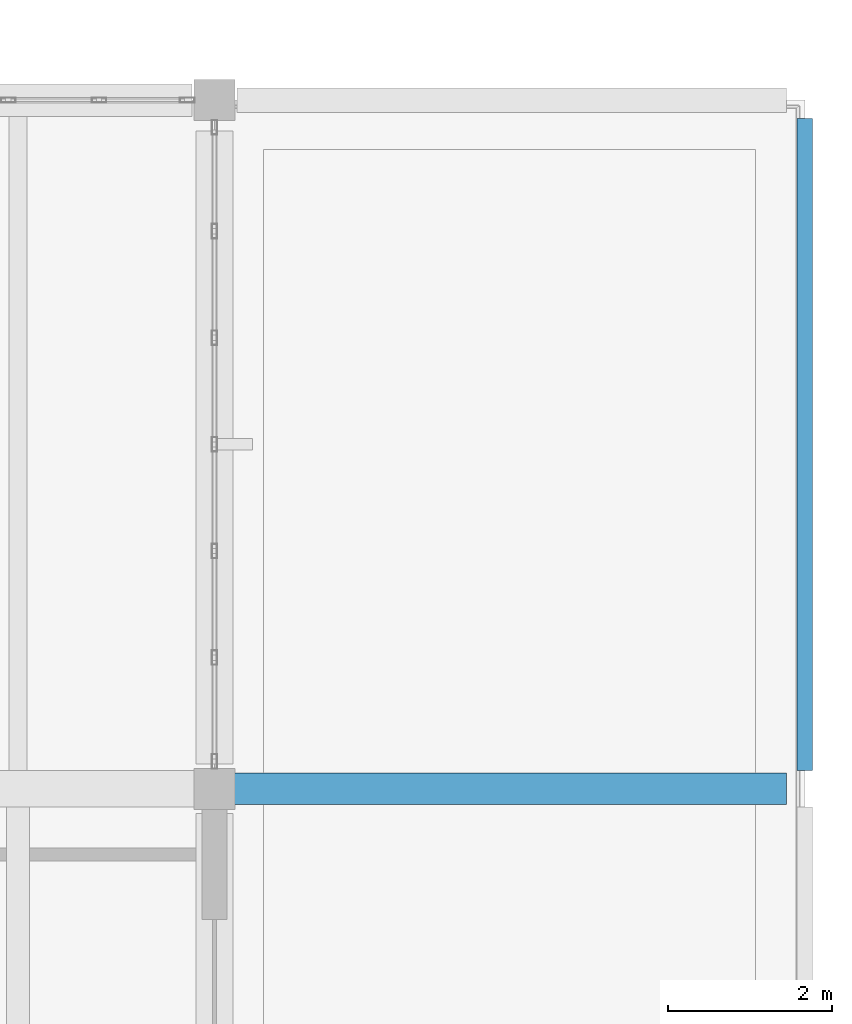
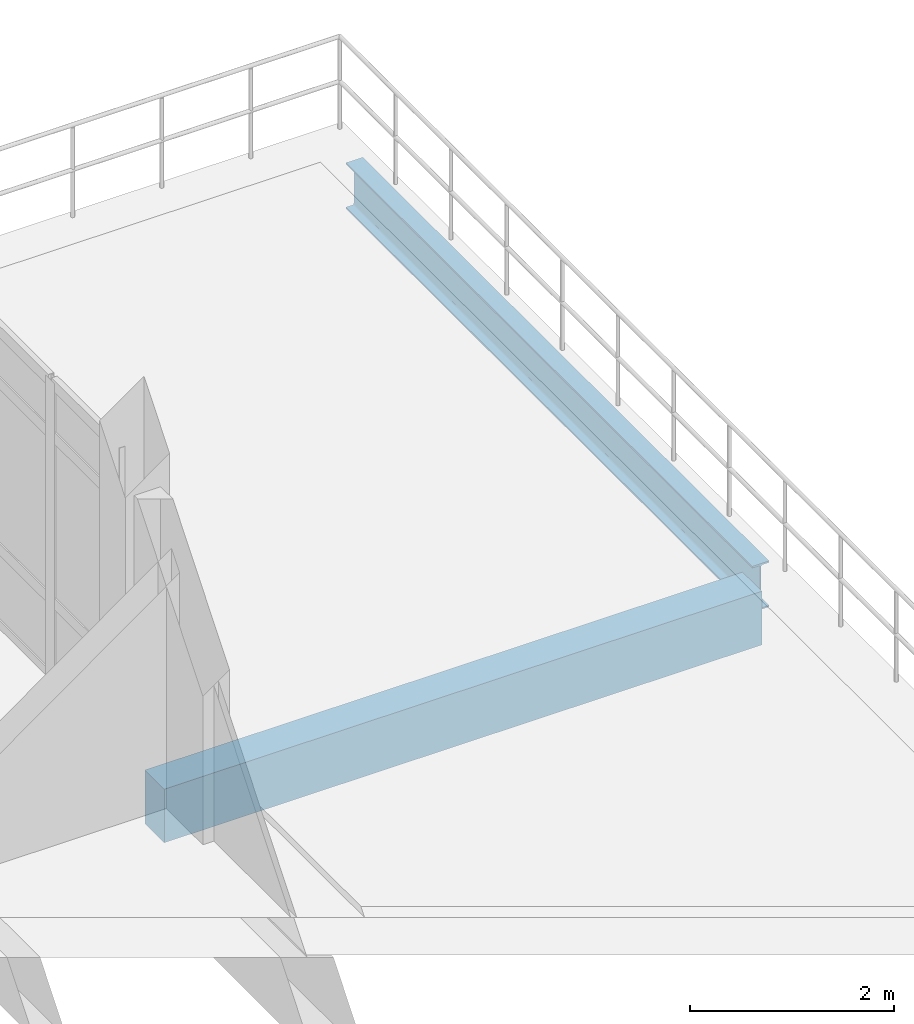
# One storey, part 24 of 41: 2 beams.
"""IFC4 building model written with IfcOpenShell, lengths in metres."""

from ifc_helpers import new_model, si_unit, direction, frame, origin, origin_2d, place, context, subcontext, project, spatial, rectangle, i_section, extrude, material, material_profile, profile_set, type_object, element, save


model = new_model("IFC4")

# Units and contexts
model_context = context("Model", 3, precision=1e-05, world=origin(), true_north=direction((0.0, 1.0)))
body_context = subcontext(model_context, "Body", "Model", "MODEL_VIEW")
ifc_project = project(units=[si_unit("LENGTHUNIT", "METRE"), si_unit("AREAUNIT", "SQUARE_METRE"), si_unit("VOLUMEUNIT", "CUBIC_METRE"), si_unit("PLANEANGLEUNIT", "RADIAN"), si_unit("MASSUNIT", "GRAM", prefix="KILO")], contexts=[model_context])

# Site, building, storey
site_placement = place(None, origin())
site = spatial("IfcSite", under=ifc_project, at=site_placement, CompositionType="ELEMENT")
building_placement = place(site_placement, origin())
building = spatial("IfcBuilding", under=site, at=building_placement, Name="Kalluvel Institute of Natural Sciences", CompositionType="ELEMENT")
storey_placement = place(building_placement, frame((0.0, 0.0, 32.39990234375)))
storey = spatial("IfcBuildingStorey", under=building, at=storey_placement, Name="L07", CompositionType="ELEMENT", Elevation=32.39990234375)

# Beams
ifc_material_1 = material(Name="Steel E350 Grade 350", Category="steel")
ifc_material_profile_1 = material_profile(ifc_material_1, i_section(OverallWidth=0.18994140625, OverallDepth=0.550048828125, WebThickness=0.01123046875, FlangeThickness=0.019287109375, FilletRadius=0.01806640625, at=origin_2d()), Name="ISMB 550")
ifc_profile_set_1 = profile_set([ifc_material_profile_1], Name="Steel E350 Grade 350")
beam_type_1 = type_object("IfcBeamType", Name="BM-ISMB550", PredefinedType="BEAM", material=ifc_profile_set_1)
beam_1_placement = place(storey_placement, frame((107.60009765625, 119.824951171875, -0.594970703125), z_axis=(0.0, 1.0, 0.0), x_axis=(-1.0, 0.0, 0.0)))
element("IfcBeam", 1, at=beam_1_placement, inside=storey, type_object=beam_type_1, Name="L07 girder GIR-L07-NS-X1076-Y1196", PredefinedType="BEAM", context=body_context, shape_type="SweptSolid", body=[
    extrude(i_section(OverallWidth=0.18994140625, OverallDepth=0.550048828125, WebThickness=0.01123046875, FlangeThickness=0.019287109375, FilletRadius=0.01806640625, at=origin_2d()), origin(), (0.0, 0.0, 1.0), 7.949951171875),
])
ifc_material_2 = material(Name="Concrete M40", Category="concrete")
ifc_material_profile_2 = material_profile(ifc_material_2, rectangle(XDim=0.3798828125, YDim=0.639892578125, at=origin_2d()), Name="RCB 380x640")
ifc_profile_set_2 = profile_set([ifc_material_profile_2], Name="Concrete M40")
beam_type_2 = type_object("IfcBeamType", Name="BM-RC380x640", PredefinedType="BEAM", material=ifc_profile_set_2)
beam_2_placement = place(storey_placement, frame((100.625, 119.60009765625, -0.639892578125), z_axis=(1.0, 0.0, 0.0), x_axis=(0.0, 1.0, 0.0)))
element("IfcBeam", 2, at=beam_2_placement, inside=storey, type_object=beam_type_2, Name="L07 girder GIR-L07-EW-X1004-Y1196", PredefinedType="BEAM", context=body_context, shape_type="SweptSolid", body=[
    extrude(rectangle(XDim=0.3798828125, YDim=0.639892578125, at=origin_2d()), origin(), (0.0, 0.0, 1.0), 6.75),
])

save(model, "model.ifc")
